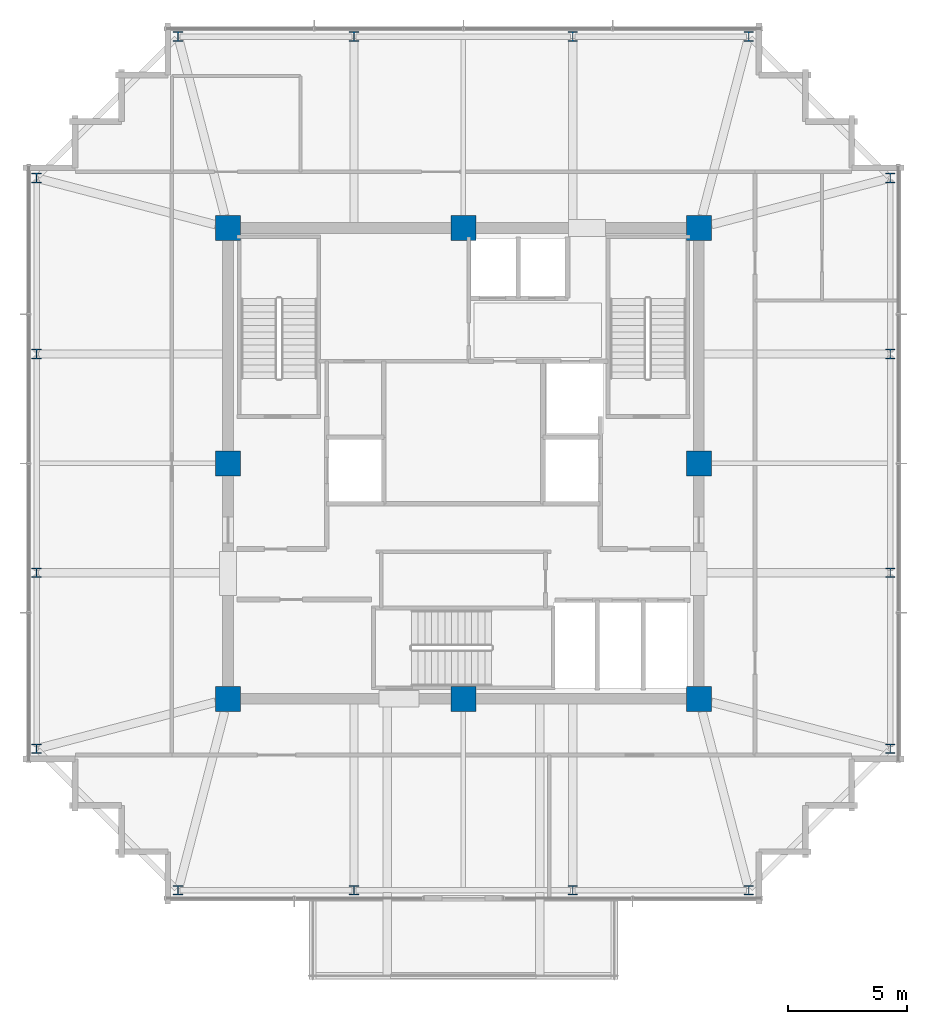
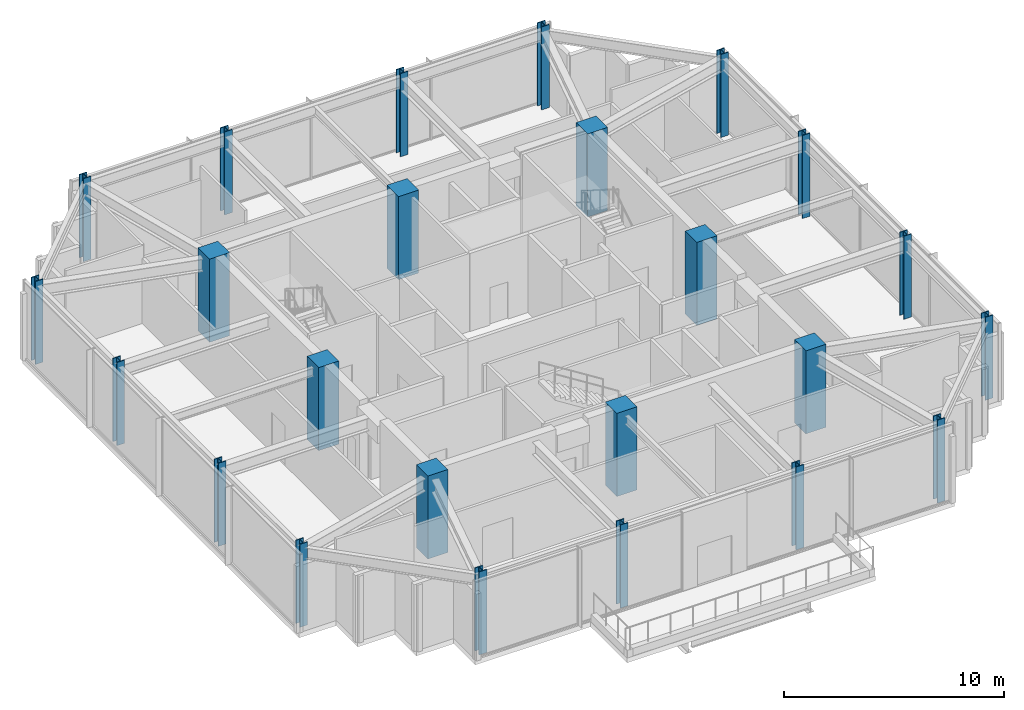
# One storey, part 1 of 30: 24 columns.
"""IFC4 building model written with IfcOpenShell, lengths in metres."""

from ifc_helpers import new_model, si_unit, direction, frame, origin, origin_2d, place, context, subcontext, project, spatial, rectangle, i_section, extrude, material, material_profile, profile_set, type_object, element, save


model = new_model("IFC4")

# Units and contexts
model_context = context("Model", 3, precision=1e-05, world=origin(), true_north=direction((0.0, 1.0)))
body_context = subcontext(model_context, "Body", "Model", "MODEL_VIEW")
ifc_project = project(units=[si_unit("LENGTHUNIT", "METRE"), si_unit("AREAUNIT", "SQUARE_METRE"), si_unit("VOLUMEUNIT", "CUBIC_METRE"), si_unit("PLANEANGLEUNIT", "RADIAN"), si_unit("MASSUNIT", "GRAM", prefix="KILO")], contexts=[model_context])

# Site, building, storey
site_placement = place(None, origin())
site = spatial("IfcSite", under=ifc_project, at=site_placement, CompositionType="ELEMENT")
building_placement = place(site_placement, origin())
building = spatial("IfcBuilding", under=site, at=building_placement, Name="Kolvaren Belvedere", CompositionType="ELEMENT")
storey_placement = place(building_placement, frame((0.0, 0.0, 262.800048828125)))
storey = spatial("IfcBuildingStorey", under=building, at=storey_placement, Name="L76", CompositionType="ELEMENT", Elevation=262.800048828125)

# Columns
ifc_material_1 = material(Name="Concrete C50/60", Category="concrete")
ifc_material_profile_1 = material_profile(ifc_material_1, rectangle(XDim=1.050048828125, YDim=1.050048828125, at=origin_2d()), Name="RC 1050X1050")
ifc_profile_set_1 = profile_set([ifc_material_profile_1], Name="Concrete C50/60")
column_type_1 = type_object("IfcColumnType", Name="COL-RC-1050", PredefinedType="COLUMN", material=ifc_profile_set_1)
for number, where, z_axis, x_axis, name in (
    (1, (-9.89990234375, -9.89990234375, 0.0), (0.0, 0.0, 1.0), (1.0, 0.0, 0.0), "L76 Core Column CC1"),
    (2, (9.89990234375, -9.89990234375, 0.0), (0.0, 0.0, 1.0), (1.0, 0.0, 0.0), "L76 Core Column CC2"),
    (3, (9.89990234375, 9.89990234375, 0.0), (0.0, 0.0, 1.0), (1.0, 0.0, 0.0), "L76 Core Column CC3"),
    (4, (-9.89990234375, 9.89990234375, 0.0), (0.0, 0.0, 1.0), (1.0, 0.0, 0.0), "L76 Core Column CC4"),
    (5, (0.0, -9.89990234375, 0.0), (0.0, 0.0, 1.0), (1.0, 0.0, 0.0), "L76 Core Column CM1"),
    (6, (9.89990234375, 0.0, 0.0), (0.0, 0.0, 1.0), (1.0, 0.0, 0.0), "L76 Core Column CM2"),
    (7, (0.0, 9.89990234375, 0.0), (0.0, 0.0, 1.0), (1.0, 0.0, 0.0), "L76 Core Column CM3"),
    (8, (-9.89990234375, 0.0, 0.0), (0.0, 0.0, 1.0), (1.0, 0.0, 0.0), "L76 Core Column CM4"),
):
    element("IfcColumn", number, at=place(storey_placement, frame(where, z_axis=z_axis, x_axis=x_axis)), inside=storey, type_object=column_type_1, Name=name, PredefinedType="COLUMN", context=body_context, shape_type="SweptSolid", body=[
        extrude(rectangle(XDim=1.050048828125, YDim=1.050048828125, at=origin_2d()), origin(), (0.0, 0.0, 1.0), 4.599853515625),
    ])
ifc_material_2 = material(Name="Structural steel ASTM A992 Grade 50", Category="steel")
ifc_material_profile_2 = material_profile(ifc_material_2, i_section(OverallWidth=0.404052734375, OverallDepth=0.406982421875, WebThickness=0.027099609375, FlangeThickness=0.043701171875, FilletRadius=0.02490234375, at=origin_2d()), Name="W14X233")
ifc_profile_set_2 = profile_set([ifc_material_profile_2], Name="Structural steel ASTM A992 Grade 50")
column_type_2 = type_object("IfcColumnType", Name="COL-ST-W14X233", PredefinedType="COLUMN", material=ifc_profile_set_2)
for number, where, z_axis, x_axis, name in (
    (9, (-12.0, -17.949951171875, 0.0), (0.0, 0.0, 1.0), (1.0, 0.0, 0.0), "L76 Perimeter Column S1"),
    (10, (-4.60009765625, -17.949951171875, 0.0), (0.0, 0.0, 1.0), (1.0, 0.0, 0.0), "L76 Perimeter Column S2"),
    (11, (4.60009765625, -17.949951171875, 0.0), (0.0, 0.0, 1.0), (1.0, 0.0, 0.0), "L76 Perimeter Column S3"),
    (12, (12.0, -17.949951171875, 0.0), (0.0, 0.0, 1.0), (1.0, 0.0, 0.0), "L76 Perimeter Column S4"),
    (13, (-12.0, 17.949951171875, 0.0), (0.0, 0.0, 1.0), (1.0, 0.0, 0.0), "L76 Perimeter Column N1"),
    (14, (-4.60009765625, 17.949951171875, 0.0), (0.0, 0.0, 1.0), (1.0, 0.0, 0.0), "L76 Perimeter Column N2"),
    (15, (4.60009765625, 17.949951171875, 0.0), (0.0, 0.0, 1.0), (1.0, 0.0, 0.0), "L76 Perimeter Column N3"),
    (16, (12.0, 17.949951171875, 0.0), (0.0, 0.0, 1.0), (1.0, 0.0, 0.0), "L76 Perimeter Column N4"),
    (17, (-17.949951171875, -12.0, 0.0), (0.0, 0.0, 1.0), (1.0, 0.0, 0.0), "L76 Perimeter Column W1"),
    (18, (-17.949951171875, -4.60009765625, 0.0), (0.0, 0.0, 1.0), (1.0, 0.0, 0.0), "L76 Perimeter Column W2"),
    (19, (-17.949951171875, 4.60009765625, 0.0), (0.0, 0.0, 1.0), (1.0, 0.0, 0.0), "L76 Perimeter Column W3"),
    (20, (-17.949951171875, 12.0, 0.0), (0.0, 0.0, 1.0), (1.0, 0.0, 0.0), "L76 Perimeter Column W4"),
    (21, (17.949951171875, -12.0, 0.0), (0.0, 0.0, 1.0), (1.0, 0.0, 0.0), "L76 Perimeter Column E1"),
    (22, (17.949951171875, -4.60009765625, 0.0), (0.0, 0.0, 1.0), (1.0, 0.0, 0.0), "L76 Perimeter Column E2"),
    (23, (17.949951171875, 4.60009765625, 0.0), (0.0, 0.0, 1.0), (1.0, 0.0, 0.0), "L76 Perimeter Column E3"),
    (24, (17.949951171875, 12.0, 0.0), (0.0, 0.0, 1.0), (1.0, 0.0, 0.0), "L76 Perimeter Column E4"),
):
    element("IfcColumn", number, at=place(storey_placement, frame(where, z_axis=z_axis, x_axis=x_axis)), inside=storey, type_object=column_type_2, Name=name, PredefinedType="COLUMN", context=body_context, shape_type="SweptSolid", body=[
        extrude(i_section(OverallWidth=0.404052734375, OverallDepth=0.406982421875, WebThickness=0.027099609375, FlangeThickness=0.043701171875, FilletRadius=0.02490234375, at=origin_2d()), origin(), (0.0, 0.0, 1.0), 4.599853515625),
    ])

save(model, "model.ifc")
